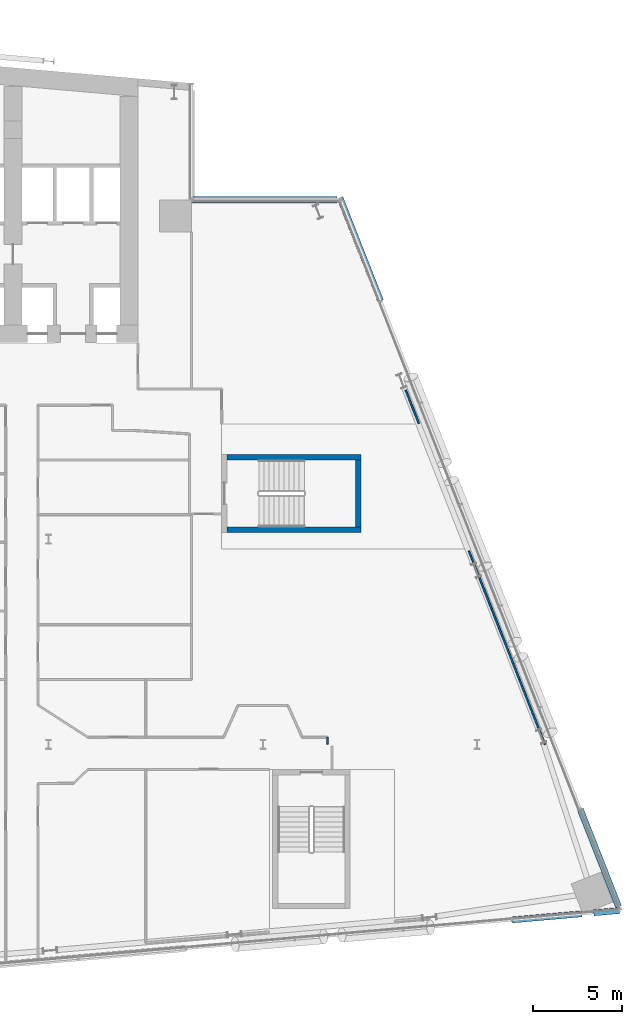
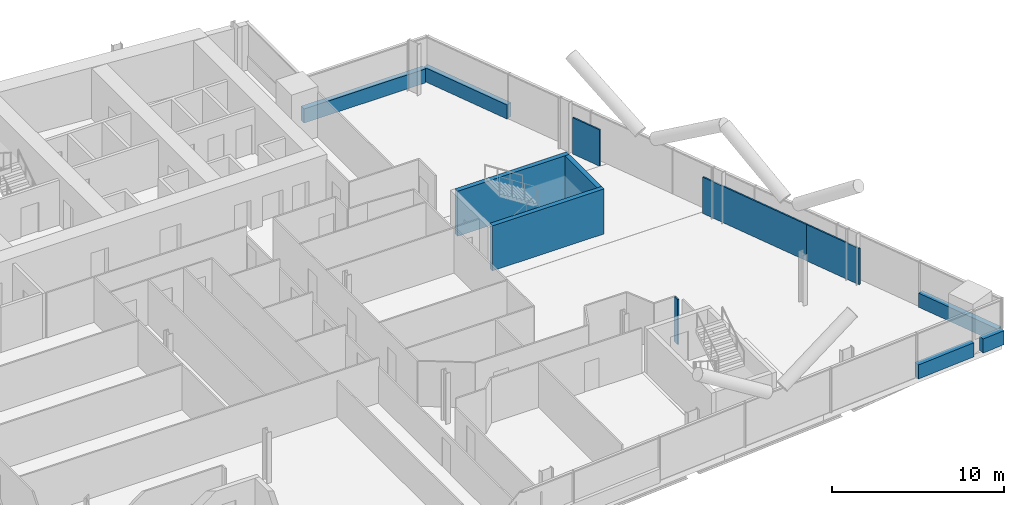
# One storey, part 19 of 27: 12 walls.
"""IFC4 building model written with IfcOpenShell, lengths in metres."""

from ifc_helpers import new_model, si_unit, direction, frame, frame_2d, origin, place, context, subcontext, project, spatial, rectangle, extrude, material, layer, layer_set, type_object, element, save


model = new_model("IFC4")

# Units and contexts
model_context = context("Model", 3, precision=1e-05, world=origin(), true_north=direction((0.0, 1.0)))
body_context = subcontext(model_context, "Body", "Model", "MODEL_VIEW")
ifc_project = project(units=[si_unit("LENGTHUNIT", "METRE"), si_unit("AREAUNIT", "SQUARE_METRE"), si_unit("VOLUMEUNIT", "CUBIC_METRE"), si_unit("PLANEANGLEUNIT", "RADIAN"), si_unit("MASSUNIT", "GRAM", prefix="KILO")], contexts=[model_context])

# Site, building, storey
site_placement = place(None, origin())
site = spatial("IfcSite", under=ifc_project, at=site_placement, CompositionType="ELEMENT")
building_placement = place(site_placement, origin())
building = spatial("IfcBuilding", under=site, at=building_placement, Name="Wharfspan Tower", CompositionType="ELEMENT")
storey_placement = place(building_placement, frame((0.0, 0.0, 111.100098)))
storey = spatial("IfcBuildingStorey", under=building, at=storey_placement, Name="L25", CompositionType="ELEMENT", Elevation=111.100098)

# Walls
ifc_material_1 = material(Name="Gypsum board on steel studs", Category="steel")
ifc_layer_1 = layer(ifc_material_1, 0.100098)
ifc_layer_set_1 = layer_set([ifc_layer_1], Name="Gypsum board on steel studs")
wall_type_1 = type_object("IfcWallType", Name="Compartment wall 100 EI 60", PredefinedType="PARTITIONING", material=ifc_layer_set_1)
wall_1_placement = place(storey_placement, frame((75.61499, 11.514893, 0.0), z_axis=(0.0, 0.0, 1.0), x_axis=(0.0, 1.0, 0.0)))
element("IfcWall", 1, at=wall_1_placement, inside=storey, type_object=wall_type_1, Name="Partition L25.w064", PredefinedType="PARTITIONING", context=body_context, shape_type="SweptSolid", body=[
    extrude(rectangle(XDim=0.380127, YDim=0.100098, at=frame_2d((0.189941, 0.0))), origin(), (0.0, 0.0, 1.0), 3.199951),
])
ifc_layer_2 = layer(ifc_material_1, 0.100098)
ifc_layer_set_2 = layer_set([ifc_layer_2], Name="Gypsum board on steel studs")
wall_type_2 = type_object("IfcWallType", Name="Partition 100", PredefinedType="PARTITIONING", material=ifc_layer_set_2)
wall_2_placement = place(storey_placement, frame((80.737061, 29.469971, 0.0), z_axis=(0.0, 0.0, 1.0), x_axis=(-0.365847, 0.930674, 0.0)))
element("IfcWall", 2, at=wall_2_placement, inside=storey, type_object=wall_type_2, Name="Partition L25.w067", PredefinedType="PARTITIONING", context=body_context, shape_type="SweptSolid", body=[
    extrude(rectangle(XDim=2.014648, YDim=0.100098, at=frame_2d((1.007324, 0.0))), origin(), (0.0, 0.0, 1.0), 2.579834),
])
wall_3_placement = place(storey_placement, frame((86.370117, 15.129883, 0.0), z_axis=(0.0, 0.0, 1.0), x_axis=(-0.365535, 0.930794, 0.0)))
element("IfcWall", 3, at=wall_3_placement, inside=storey, type_object=wall_type_2, Name="Partition L25.w068", PredefinedType="PARTITIONING", context=body_context, shape_type="SweptSolid", body=[
    extrude(rectangle(XDim=7.739014, YDim=0.100098, at=frame_2d((3.869629, 0.0))), origin(), (0.0, 0.0, 1.0), 2.579834),
])
wall_4_placement = place(storey_placement, frame((87.800049, 11.5, 0.0), z_axis=(0.0, 0.0, 1.0), x_axis=(-0.366521, 0.930414, 0.0)))
element("IfcWall", 4, at=wall_4_placement, inside=storey, type_object=wall_type_2, Name="Partition L25.w069", PredefinedType="PARTITIONING", context=body_context, shape_type="SweptSolid", body=[
    extrude(rectangle(XDim=3.901367, YDim=0.100098, at=frame_2d((1.950684, 0.0))), origin(), (0.0, 0.0, 1.0), 2.579834),
])
ifc_material_2 = material(Name="Concrete C40/50", Category="concrete")
ifc_layer_3 = layer(ifc_material_2, 0.350098)
ifc_layer_set_3 = layer_set([ifc_layer_3], Name="Concrete C40/50")
wall_type_3 = type_object("IfcWallType", Name="SPANDREL EXPOSED CONCRETE 350", PredefinedType="SOLIDWALL", material=ifc_layer_set_3)
wall_5_placement = place(storey_placement, frame((85.958984, 1.666504, 0.0), z_axis=(0.0, 0.0, 1.0), x_axis=(0.996194, 0.087167, 0.0)))
element("IfcWall", 5, at=wall_5_placement, inside=storey, type_object=wall_type_3, Name="Spandrel upstand L25 S2 2", PredefinedType="SOLIDWALL", context=body_context, shape_type="SweptSolid", body=[
    extrude(rectangle(XDim=3.921143, YDim=0.350098, at=frame_2d((1.960449, 0.0))), origin(), (0.0, 0.0, 1.0), 1.0),
])
wall_6_placement = place(storey_placement, frame((90.5271, 2.066162, 0.0), z_axis=(0.0, 0.0, 1.0), x_axis=(0.996198, 0.087157, 0.0)))
element("IfcWall", 6, at=wall_6_placement, inside=storey, type_object=wall_type_3, Name="Spandrel upstand L25 S2 3", PredefinedType="SOLIDWALL", context=body_context, shape_type="SweptSolid", body=[
    extrude(rectangle(XDim=1.479004, YDim=0.350098, at=frame_2d((0.739502, 0.0))), origin(), (0.0, 0.0, 1.0), 1.0),
])
wall_7_placement = place(storey_placement, frame((91.921387, 2.413574, 0.0), z_axis=(0.0, 0.0, 1.0), x_axis=(-0.36578, 0.930701, 0.0)))
element("IfcWall", 7, at=wall_7_placement, inside=storey, type_object=wall_type_3, Name="Spandrel upstand L25 E 1", PredefinedType="SOLIDWALL", context=body_context, shape_type="SweptSolid", body=[
    extrude(rectangle(XDim=5.851562, YDim=0.350098, at=frame_2d((2.925781, 0.0))), origin(), (0.0, 0.0, 1.0), 1.0),
])
wall_8_placement = place(storey_placement, frame((78.586426, 36.343994, 0.0), z_axis=(0.0, 0.0, 1.0), x_axis=(-0.365792, 0.930699, 0.0)))
element("IfcWall", 8, at=wall_8_placement, inside=storey, type_object=wall_type_3, Name="Spandrel upstand L25 E 2", PredefinedType="SOLIDWALL", context=body_context, shape_type="SweptSolid", body=[
    extrude(rectangle(XDim=6.20166, YDim=0.350098, at=frame_2d((3.10083, 0.0))), origin(), (0.0, 0.0, 1.0), 1.0),
])
wall_9_placement = place(storey_placement, frame((76.155029, 42.004883, 0.0), z_axis=(0.0, 0.0, 1.0), x_axis=(-1.0, 0.0, 0.0)))
element("IfcWall", 9, at=wall_9_placement, inside=storey, type_object=wall_type_3, Name="Spandrel upstand L25 NRE-H", PredefinedType="SOLIDWALL", context=body_context, shape_type="SweptSolid", body=[
    extrude(rectangle(XDim=8.155029, YDim=0.350098, at=frame_2d((4.077637, 0.0))), origin(), (0.0, 0.0, 1.0), 1.0),
])
ifc_layer_4 = layer(ifc_material_2, 0.300049)
ifc_layer_set_4 = layer_set([ifc_layer_4], Name="Concrete C40/50")
wall_type_4 = type_object("IfcWallType", Name="Stair core wall 300", PredefinedType="SHEAR", material=ifc_layer_set_4)
for number, where, z_axis, x_axis, name in (
    (10, (69.990479, 23.524902, 0.0), (0.0, 0.0, 1.0), (1.0, 0.0, 0.0), "ST6 stair enclosure wall L25"),
    (11, (69.990479, 27.574951, 0.0), (0.0, 0.0, 1.0), (1.0, 0.0, 0.0), "ST6 stair enclosure wall L25"),
):
    element("IfcWall", number, at=place(storey_placement, frame(where, z_axis=z_axis, x_axis=x_axis)), inside=storey, type_object=wall_type_4, Name=name, PredefinedType="SHEAR", context=body_context, shape_type="SweptSolid", body=[
        extrude(rectangle(XDim=7.5, YDim=0.300049, at=frame_2d((3.75, 0.0))), origin(), (0.0, 0.0, 1.0), 3.199951),
    ])
wall_10_placement = place(storey_placement, frame((77.340332, 23.675049, 0.0), z_axis=(0.0, 0.0, 1.0), x_axis=(0.0, 1.0, 0.0)))
element("IfcWall", 12, at=wall_10_placement, inside=storey, type_object=wall_type_4, Name="ST6 stair enclosure wall L25", PredefinedType="SHEAR", context=body_context, shape_type="SweptSolid", body=[
    extrude(rectangle(XDim=3.75, YDim=0.300049, at=frame_2d((1.875, 0.0))), origin(), (0.0, 0.0, 1.0), 3.199951),
])

save(model, "model.ifc")
